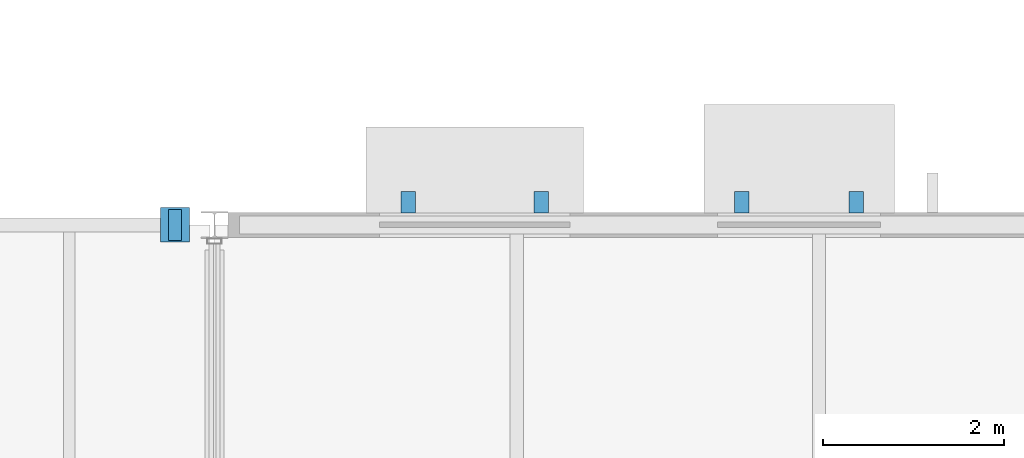
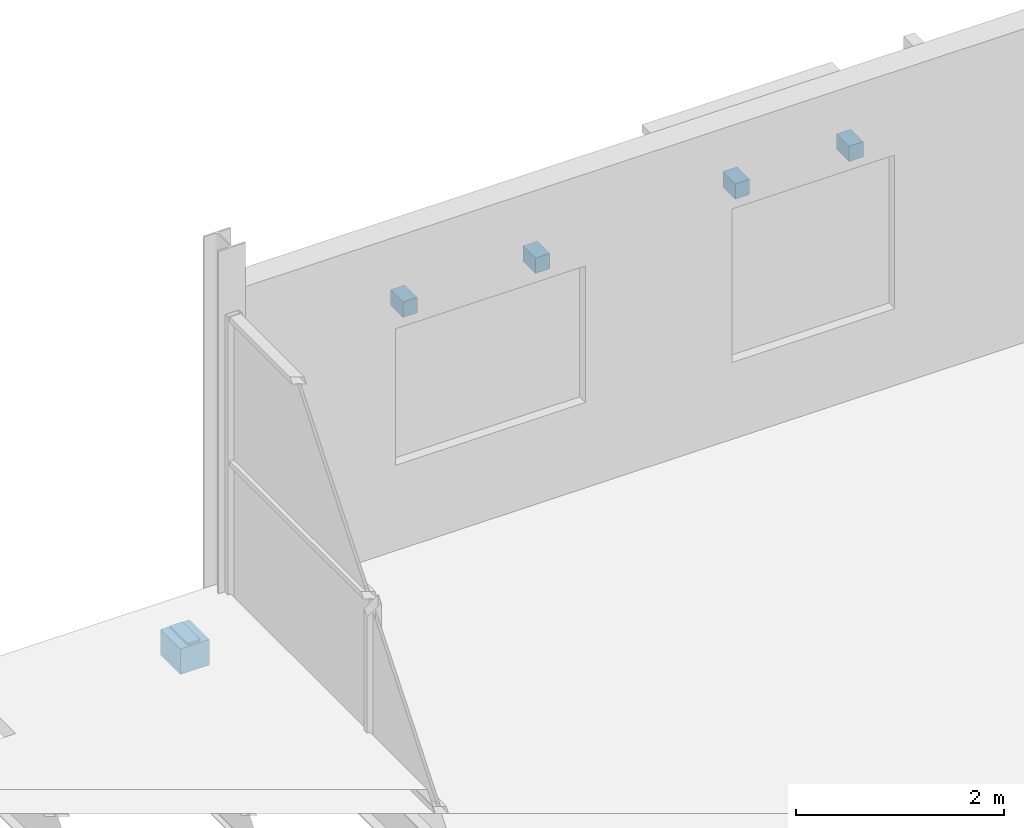
# One storey, part 147 of 161: 6 discrete accessories.
"""IFC4 building model written with IfcOpenShell, lengths in metres."""

from ifc_helpers import new_model, si_unit, direction, frame, origin, origin_2d, place, context, subcontext, project, spatial, rectangle, extrude, material, layer, layer_set, type_object, element, save


model = new_model("IFC4")

# Units and contexts
model_context = context("Model", 3, precision=1e-05, world=origin(), true_north=direction((0.0, 1.0)))
body_context = subcontext(model_context, "Body", "Model", "MODEL_VIEW")
ifc_project = project(units=[si_unit("LENGTHUNIT", "METRE"), si_unit("AREAUNIT", "SQUARE_METRE"), si_unit("VOLUMEUNIT", "CUBIC_METRE"), si_unit("PLANEANGLEUNIT", "RADIAN"), si_unit("MASSUNIT", "GRAM", prefix="KILO"), si_unit("THERMODYNAMICTEMPERATUREUNIT", "KELVIN")], contexts=[model_context])

# Site, building, storey
site_placement = place(None, origin())
site = spatial("IfcSite", under=ifc_project, at=site_placement, CompositionType="ELEMENT")
building_placement = place(site_placement, origin())
building = spatial("IfcBuilding", under=site, at=building_placement, Name="Nduvali Passage Aquatics Centre", CompositionType="ELEMENT")
storey_placement = place(building_placement, frame((0.0, 0.0, 4.800048828125)))
storey = spatial("IfcBuildingStorey", under=building, at=storey_placement, Name="L01", CompositionType="ELEMENT", Elevation=4.800048828125)

# Discrete accessories
ifc_material_1 = material(Name="Steel S355", Category="steel")
discrete_accessory_type_1 = type_object("IfcDiscreteAccessoryType", Name="ENV-BRK-S355", PredefinedType="BRACKET", material=ifc_material_1)
for number, where, z_axis, x_axis, name in (
    (1, (145.076904296875, 92.64990234375, 2.580078125), (0.0, 0.0, 1.0), (-1.0, 0.0, 0.0), "L01 Sunshade Bracket 0173"),
    (2, (143.81689453125, 92.64990234375, 2.580078125), (0.0, 0.0, 1.0), (-1.0, 0.0, 0.0), "L01 Sunshade Bracket 0174"),
    (3, (141.60400390625, 92.64990234375, 2.48486328125), (0.0, 0.0, 1.0), (-1.0, 0.0, 0.0), "L01 Sunshade Bracket 0175"),
    (4, (140.134033203125, 92.64990234375, 2.48486328125), (0.0, 0.0, 1.0), (-1.0, 0.0, 0.0), "L01 Sunshade Bracket 0176"),
):
    element("IfcDiscreteAccessory", number, at=place(storey_placement, frame(where, z_axis=z_axis, x_axis=x_axis)), inside=storey, type_object=discrete_accessory_type_1, Name=name, PredefinedType="BRACKET", context=body_context, shape_type="SweptSolid", body=[
        extrude(rectangle(XDim=0.159912109375, YDim=0.239990234375, at=origin_2d()), origin(), (0.0, 0.0, 1.0), 0.179931640625),
    ])
ifc_material_2 = material(Name="Concrete C40/50", Category="concrete")
discrete_accessory_type_2 = type_object("IfcDiscreteAccessoryType", Name="STR-ACC-CRB320", PredefinedType="BRACKET", material=ifc_material_2)
discrete_accessory_1_placement = place(storey_placement, frame((137.56494140625, 92.39990234375, -0.576171875), z_axis=(0.0, 0.0, 1.0), x_axis=(1.0, 0.0, 0.0)))
element("IfcDiscreteAccessory", 5, at=discrete_accessory_1_placement, inside=storey, type_object=discrete_accessory_type_2, Name="L01 Movement Joint MJ3 RC Corbel CRB1-024", PredefinedType="BRACKET", context=body_context, shape_type="SweptSolid", body=[
    extrude(rectangle(XDim=0.320068359375, YDim=0.3798828125, at=origin_2d()), origin(), (0.0, 0.0, 1.0), 0.300048828125),
])
ifc_layer = layer(ifc_material_1, 0.02197265625, Name="Steel S355")
ifc_layer_set = layer_set([ifc_layer], Name="Steel S355")
discrete_accessory_type_3 = type_object("IfcDiscreteAccessoryType", Name="STR-ACC-PTFE140", PredefinedType="SHOE", material=ifc_layer_set)
discrete_accessory_2_placement = place(storey_placement, frame((137.56494140625, 92.39990234375, -0.276123046875), z_axis=(0.0, 0.0, 1.0), x_axis=(1.0, 0.0, 0.0)))
element("IfcDiscreteAccessory", 6, at=discrete_accessory_2_placement, inside=storey, type_object=discrete_accessory_type_3, Name="L01 Movement Joint MJ3 PTFE Bearing Pad PTFE1-024", PredefinedType="SHOE", context=body_context, shape_type="SweptSolid", body=[
    extrude(rectangle(XDim=0.139892578125, YDim=0.340087890625, at=origin_2d()), origin(), (0.0, 0.0, 1.0), 0.02197265625),
])

save(model, "model.ifc")
